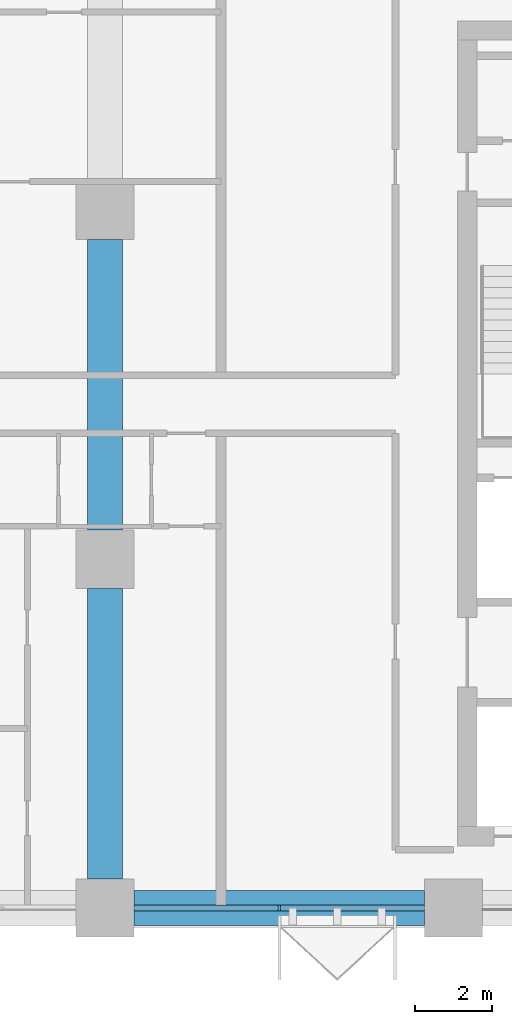
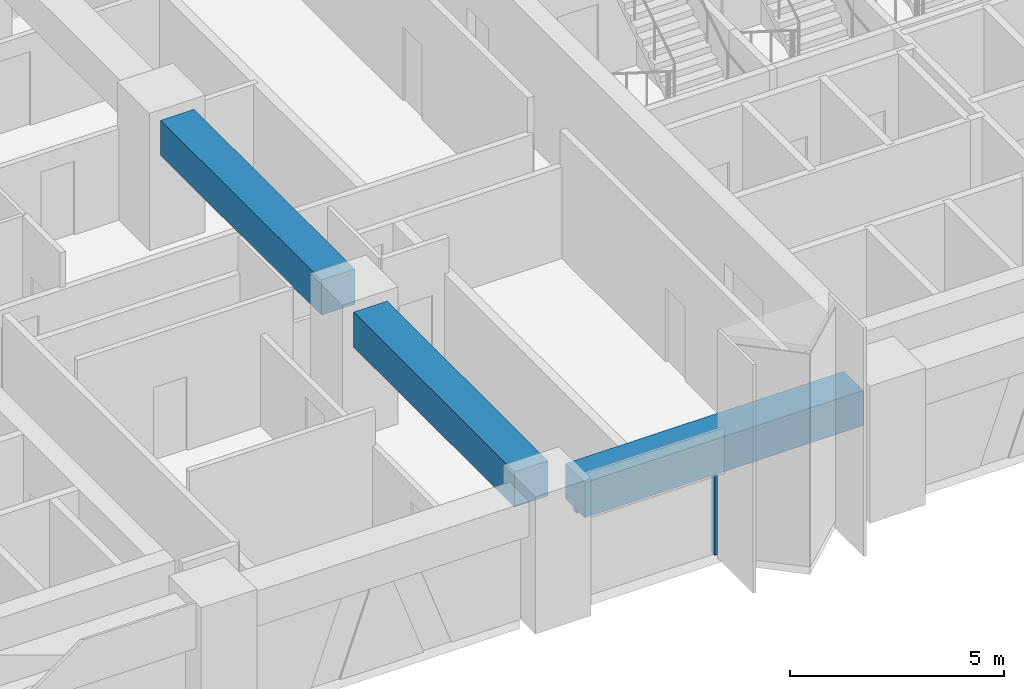
# One storey, part 3 of 14: 3 beams, 2 members, 1 element without a shape of its own.
"""IFC4 building model written with IfcOpenShell, lengths in metres."""

import ifcopenshell
import ifcopenshell.guid

model = None  # the IFC model being written
_history = None  # IfcOwnerHistory: only IFC2X3 demands one
_inside = {}  # id of a spatial element -> (the spatial element, [elements in it])
_under = {}  # id of a project, library or spatial element -> (it, [spatial elements below it])
_declared = {}  # id of a project -> (the project, [libraries it declares])
_typed = {}  # id of a type object -> (the type object, [elements of that type])
_made_of = {}  # id of a material, layer set ... -> (it, [elements and type objects made of it])


def new_model(schema):
    """Start an empty IFC model of exactly this schema.

    Asked for "IFC4X3", IfcOpenShell would pick the latest addendum, in which some entities
    have other attributes; the version numbers below select the first issue.
    IFC2X3 requires an IfcOwnerHistory on every rooted entity: one is made here for all.
    """
    global model, _history
    if schema == "IFC4X3":
        model = ifcopenshell.file(schema_version=(4, 3, 0, 0))
    else:
        model = ifcopenshell.file(schema=schema)
    _inside.clear()
    _under.clear()
    _declared.clear()
    _typed.clear()
    _made_of.clear()
    _history = None
    if model.schema == "IFC2X3":
        org = make("IfcOrganization", Name="unknown")
        user = make(
            "IfcPersonAndOrganization",
            ThePerson=make("IfcPerson", FamilyName="unknown"),
            TheOrganization=org,
        )
        app = make(
            "IfcApplication",
            ApplicationDeveloper=org,
            Version="unknown",
            ApplicationFullName="unknown",
            ApplicationIdentifier="unknown",
        )
        _history = make(
            "IfcOwnerHistory",
            OwningUser=user,
            OwningApplication=app,
            ChangeAction="ADDED",
            CreationDate=0,
        )
    return model


def make(cls, **values):
    """One entity of the class cls with the attributes given. An attribute that is None is left unset."""
    return model.create_entity(
        cls, **{name: value for name, value in values.items() if value is not None}
    )


def rooted(cls, **values):
    """An entity with a GlobalId (a new one), such as an element, a storey or a relation."""
    return make(cls, GlobalId=ifcopenshell.guid.new(), OwnerHistory=_history, **values)


def si_unit(unit_type, name, prefix=None):
    """IfcSIUnit, for example si_unit("LENGTHUNIT", "METRE", prefix="MILLI")."""
    return make("IfcSIUnit", UnitType=unit_type, Prefix=prefix, Name=name)


def assignment(units):
    """IfcUnitAssignment: the units of a project."""
    return None if units is None else make("IfcUnitAssignment", Units=units)


def point(xyz):
    """IfcCartesianPoint."""
    return None if xyz is None else make("IfcCartesianPoint", Coordinates=xyz)


def direction(xyz):
    """IfcDirection."""
    return None if xyz is None else make("IfcDirection", DirectionRatios=xyz)


def frame(location, z_axis=None, x_axis=None):
    """IfcAxis2Placement3D, a coordinate frame: its origin and axes. An axis left out is left unset."""
    return make(
        "IfcAxis2Placement3D",
        Location=point(location),
        Axis=direction(z_axis),
        RefDirection=direction(x_axis),
    )


def frame_2d(location, x_axis=None):
    """IfcAxis2Placement2D, a coordinate frame in the plane: its origin and x axis."""
    return make(
        "IfcAxis2Placement2D", Location=point(location), RefDirection=direction(x_axis)
    )


def origin():
    """The frame at (0, 0, 0) with its axes left unset."""
    return frame((0.0, 0.0, 0.0))


def origin_2d():
    """The frame at (0, 0) in the plane with its x axis left unset."""
    return frame_2d((0.0, 0.0))


def place(relative_to, where):
    """IfcLocalPlacement: puts the frame where relative to a parent placement (None: the world)."""
    return make(
        "IfcLocalPlacement", PlacementRelTo=relative_to, RelativePlacement=where
    )


def context(
    kind, dimensions, precision=None, world=None, true_north=None, identifier=None
):
    """IfcGeometricRepresentationContext, for example the 3D "Model" context."""
    return make(
        "IfcGeometricRepresentationContext",
        ContextIdentifier=identifier,
        ContextType=kind,
        CoordinateSpaceDimension=dimensions,
        Precision=precision,
        WorldCoordinateSystem=world,
        TrueNorth=true_north,
    )


def subcontext(parent, identifier, kind, view, scale=None):
    """IfcGeometricRepresentationSubContext, for example "Body" below "Model"."""
    return make(
        "IfcGeometricRepresentationSubContext",
        ContextIdentifier=identifier,
        ContextType=kind,
        ParentContext=parent,
        TargetScale=scale,
        TargetView=view,
    )


def project(units=None, contexts=None):
    """IfcProject with its units and contexts."""
    return rooted(
        "IfcProject",
        Name="project",
        RepresentationContexts=contexts,
        UnitsInContext=assignment(units),
    )


def spatial(cls, under=None, at=None, **own):
    """A site, building, storey or space (cls), placed at a placement, below another one or the project."""
    s = rooted(cls, ObjectPlacement=at, **own)
    if under is not None:
        _under.setdefault(under.id(), (under, []))[1].append(s)
    return s


def profile(cls, at=None, kind="AREA", **sizes):
    """A parametric profile (cls). Its sizes go by their IFC names, for example OverallWidth=200.0."""
    return make(cls, ProfileType=kind, Position=at, **sizes)


def rectangle(**sizes):
    """IfcRectangleProfileDef."""
    return profile("IfcRectangleProfileDef", **sizes)


def extrude(swept, where, along, depth):
    """IfcExtrudedAreaSolid: the profile swept, set in the frame where, extruded along a direction by depth."""
    return make(
        "IfcExtrudedAreaSolid",
        SweptArea=swept,
        Position=where,
        ExtrudedDirection=direction(along),
        Depth=depth,
    )


def shape(context_of_items, identifier, shape_type, items):
    """IfcShapeRepresentation: the items that make up one representation, for example the "Body"."""
    return make(
        "IfcShapeRepresentation",
        ContextOfItems=context_of_items,
        RepresentationIdentifier=identifier,
        RepresentationType=shape_type,
        Items=items,
    )


def material(Name=None, Category=None):
    """IfcMaterial."""
    return make("IfcMaterial", Name=Name, Category=Category)


def material_profile(
    of_material, cross_section, Name=None, Category=None, Priority=None
):
    """IfcMaterialProfile: a cross section and its material."""
    return make(
        "IfcMaterialProfile",
        Name=Name,
        Material=of_material,
        Profile=cross_section,
        Priority=Priority,
        Category=Category,
    )


def profile_set(profiles, Name=None, composite=None):
    """IfcMaterialProfileSet."""
    return make(
        "IfcMaterialProfileSet",
        Name=Name,
        MaterialProfiles=profiles,
        CompositeProfile=composite,
    )


def made_of(thing, what):
    """Note that an element or type object is made of a material, layer set ...; save() writes the relation."""
    if what is not None:
        _made_of.setdefault(what.id(), (what, []))[1].append(thing)
    return thing


def type_object(cls, material=None, **own):
    """A type object (cls), such as IfcWallType, which elements share."""
    return made_of(rooted(cls, **own), material)


def element(
    cls,
    number,
    at=None,
    inside=None,
    cuts=None,
    type_object=None,
    material=None,
    context=None,
    identifier="Body",
    shape_type=None,
    held_by="IfcProductDefinitionShape",
    body=None,
    shapes=None,
    **own,
):
    """One element of the class cls, such as IfcWall. Its Tag is "e" and its number.

    at: its placement. inside: the storey or other place that contains it. cuts: it is an
    opening in that element (IfcRelVoidsElement). A single representation is given by context,
    identifier, shape_type and body (its items); several are given by shapes. held_by: the class
    of the entity that holds the representations. save() writes the other relations.
    """
    e = rooted(cls, Tag="e%d" % number, ObjectPlacement=at, **own)
    if body is not None:
        shapes = [shape(context, identifier, shape_type, body)]
    if shapes is not None:
        e.Representation = make(held_by, Representations=shapes)
    if inside is not None:
        _inside.setdefault(inside.id(), (inside, []))[1].append(e)
    if cuts is not None:
        rooted(
            "IfcRelVoidsElement", RelatingBuildingElement=cuts, RelatedOpeningElement=e
        )
    if type_object is not None:
        _typed.setdefault(type_object.id(), (type_object, []))[1].append(e)
    return made_of(e, material)


def aggregate(whole, parts):
    """IfcRelAggregates: a whole, such as a stair, and the parts it consists of."""
    return rooted("IfcRelAggregates", RelatingObject=whole, RelatedObjects=parts)


def save(model, path):
    """Write the relations noted so far, then the file.

    IfcRelAggregates (storeys below a building ...), IfcRelContainedInSpatialStructure (elements
    in a storey), IfcRelDefinesByType, IfcRelAssociatesMaterial and IfcRelDeclares: one each for
    every whole, place, type object, material and project.
    """
    for whole, parts in _under.values():
        aggregate(whole, parts)
    for where, things in _inside.values():
        rooted(
            "IfcRelContainedInSpatialStructure",
            RelatedElements=things,
            RelatingStructure=where,
        )
    for kind, things in _typed.values():
        rooted("IfcRelDefinesByType", RelatedObjects=things, RelatingType=kind)
    for what, things in _made_of.values():
        rooted("IfcRelAssociatesMaterial", RelatedObjects=things, RelatingMaterial=what)
    for by, libraries in _declared.values():
        rooted("IfcRelDeclares", RelatingContext=by, RelatedDefinitions=libraries)
    model.write(path)


model = new_model("IFC4")

# Units and contexts
model_context = context("Model", 3, precision=1e-05, world=origin(), true_north=direction((0.0, 1.0)))
body_context = subcontext(model_context, "Body", "Model", "MODEL_VIEW")
ifc_project = project(units=[si_unit("LENGTHUNIT", "METRE"), si_unit("AREAUNIT", "SQUARE_METRE"), si_unit("VOLUMEUNIT", "CUBIC_METRE"), si_unit("PLANEANGLEUNIT", "RADIAN"), si_unit("MASSUNIT", "GRAM", prefix="KILO")], contexts=[model_context])

# Site, building, storey
site_placement = place(None, origin())
site = spatial("IfcSite", under=ifc_project, at=site_placement, CompositionType="ELEMENT")
building_placement = place(site_placement, origin())
building = spatial("IfcBuilding", under=site, at=building_placement, Name="Tessera Arch", CompositionType="ELEMENT")
storey_placement = place(building_placement, frame((0.0, 0.0, 134.89990234375)))
storey = spatial("IfcBuildingStorey", under=building, at=storey_placement, Name="L31", CompositionType="ELEMENT", Elevation=134.89990234375)

# Curtain wall, members
ifc_material_1 = material(Name="CW1 curtain wall")
curtain_wall_type = type_object("IfcCurtainWallType", Name="CW1 curtain wall", PredefinedType="NOTDEFINED", material=ifc_material_1)
curtain_wall_placement = place(storey_placement, origin())
curtain_wall = element("IfcCurtainWall", 1, at=curtain_wall_placement, inside=storey, type_object=curtain_wall_type, Name="CW1 curtain wall S27.0/3 L31", PredefinedType="NOTDEFINED")
ifc_material_2 = material(Name="Anodised aluminium pale metal", Category="aluminium")
ifc_material_profile_1 = material_profile(ifc_material_2, rectangle(XDim=0.159912109375, YDim=0.06005859375, at=origin_2d()), Name="AL 60x160")
ifc_profile_set_1 = profile_set([ifc_material_profile_1], Name="Anodised aluminium pale metal")
member_type_1 = type_object("IfcMemberType", Name="CW1 mullion", PredefinedType="MULLION", material=ifc_profile_set_1)
member_1_placement = place(storey_placement, frame((31.5, 27.0, 0.0), z_axis=(0.0, 0.0, 1.0), x_axis=(0.0, 1.0, 0.0)))
member_1 = element("IfcMember", 2, at=member_1_placement, type_object=member_type_1, Name="CW1 mullion S27.0/3 1", PredefinedType="MULLION", context=body_context, shape_type="SweptSolid", body=[
    extrude(rectangle(XDim=0.159912109375, YDim=0.06005859375, at=origin_2d()), origin(), (0.0, 0.0, 1.0), 2.5),
])
ifc_material_3 = material(Name="Anodised aluminium pale metal", Category="aluminium")
ifc_material_profile_2 = material_profile(ifc_material_3, rectangle(XDim=0.159912109375, YDim=0.10009765625, at=origin_2d()), Name="AL 160x100")
ifc_profile_set_2 = profile_set([ifc_material_profile_2], Name="Anodised aluminium pale metal")
member_type_2 = type_object("IfcMemberType", Name="CW1 transom", PredefinedType="USERDEFINED", material=ifc_profile_set_2)
member_2_placement = place(storey_placement, frame((27.75, 27.0, 2.550048828125), z_axis=(1.0, 0.0, 0.0), x_axis=(0.0, 1.0, 0.0)))
member_2 = element("IfcMember", 3, at=member_2_placement, type_object=member_type_2, Name="CW1 transom S27.0/3 1.1", ObjectType="TRANSOM", PredefinedType="USERDEFINED", context=body_context, shape_type="SweptSolid", body=[
    extrude(rectangle(XDim=0.159912109375, YDim=0.10009765625, at=origin_2d()), origin(), (0.0, 0.0, 1.0), 7.5),
])
aggregate(curtain_wall, [member_1, member_2])

# Beams
ifc_material_4 = material(Name="Concrete C70/85", Category="concrete")
ifc_material_profile_3 = material_profile(ifc_material_4, rectangle(XDim=0.89990234375, YDim=1.0, at=origin_2d()), Name="RC spandrel beam 900 x 1000 Concrete C70/85")
ifc_profile_set_3 = profile_set([ifc_material_profile_3], Name="Concrete C70/85")
beam_type = type_object("IfcBeamType", Name="RC spandrel beam 900 x 1000 Concrete C70/85", PredefinedType="BEAM", material=ifc_profile_set_3)
for number, where, z_axis, x_axis, name in (
    (4, (27.75, 27.0, 3.10009765625), (1.0, 0.0, 0.0), (0.0, 1.0, 0.0), "Spandrel beam L31 S27.0/3"),
    (5, (27.0, 27.75, 3.10009765625), (0.0, 1.0, 0.0), (-1.0, 0.0, 0.0), "Interface beam L31 I0C4D-C4E"),
    (6, (27.0, 36.75, 3.10009765625), (0.0, 1.0, 0.0), (-1.0, 0.0, 0.0), "Interface beam L31 I0C4E-C4F"),
):
    element("IfcBeam", number, at=place(storey_placement, frame(where, z_axis=z_axis, x_axis=x_axis)), inside=storey, type_object=beam_type, Name=name, PredefinedType="BEAM", context=body_context, shape_type="SweptSolid", body=[
        extrude(rectangle(XDim=0.89990234375, YDim=1.0, at=origin_2d()), origin(), (0.0, 0.0, 1.0), 7.5),
    ])

save(model, "model.ifc")
